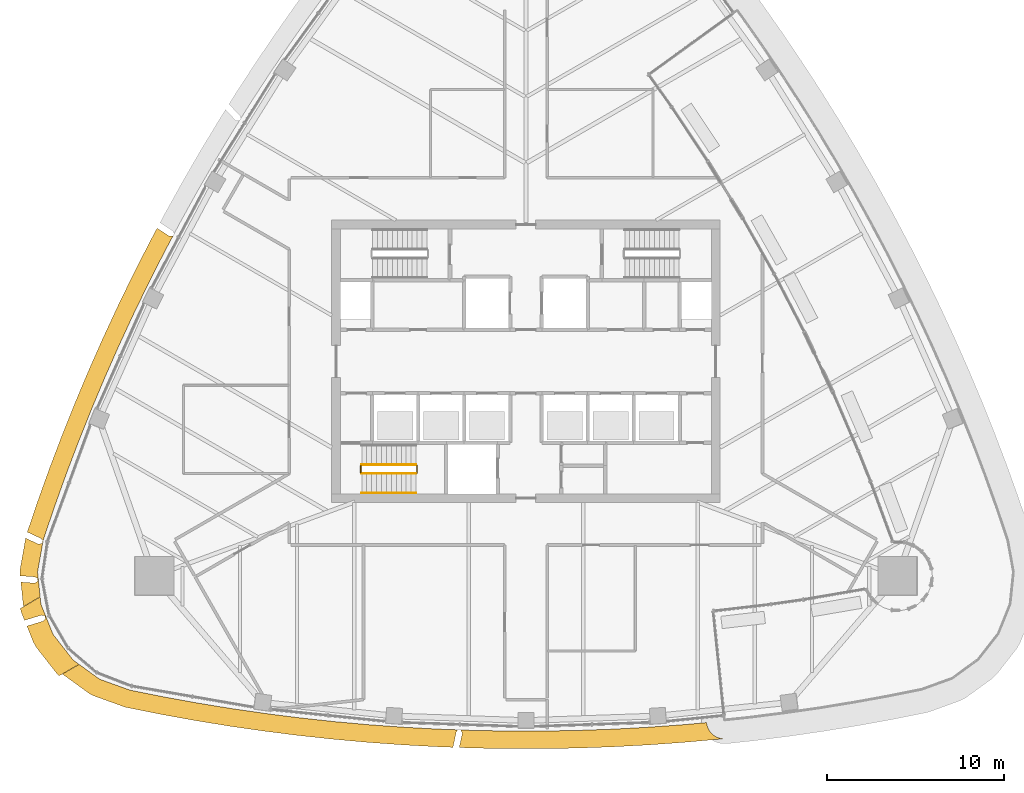
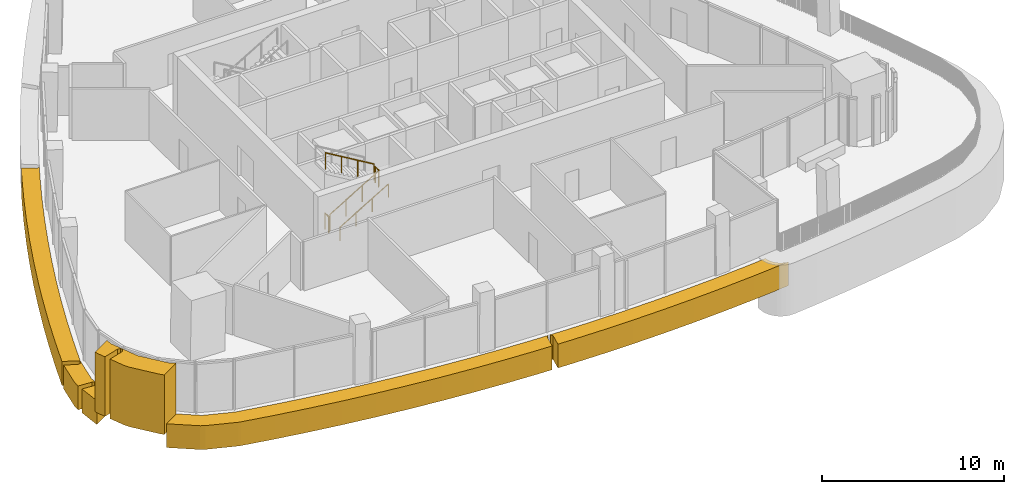
# One storey, part 15 of 20: 5 railings, 4 coverings.
"""IFC4 building model written with IfcOpenShell, lengths in metres."""

import ifcopenshell
import ifcopenshell.guid

model = None  # the IFC model being written
_history = None  # IfcOwnerHistory: only IFC2X3 demands one
_inside = {}  # id of a spatial element -> (the spatial element, [elements in it])
_under = {}  # id of a project, library or spatial element -> (it, [spatial elements below it])
_declared = {}  # id of a project -> (the project, [libraries it declares])
_typed = {}  # id of a type object -> (the type object, [elements of that type])
_made_of = {}  # id of a material, layer set ... -> (it, [elements and type objects made of it])


def new_model(schema):
    """Start an empty IFC model of exactly this schema.

    Asked for "IFC4X3", IfcOpenShell would pick the latest addendum, in which some entities
    have other attributes; the version numbers below select the first issue.
    IFC2X3 requires an IfcOwnerHistory on every rooted entity: one is made here for all.
    """
    global model, _history
    if schema == "IFC4X3":
        model = ifcopenshell.file(schema_version=(4, 3, 0, 0))
    else:
        model = ifcopenshell.file(schema=schema)
    _inside.clear()
    _under.clear()
    _declared.clear()
    _typed.clear()
    _made_of.clear()
    _history = None
    if model.schema == "IFC2X3":
        org = make("IfcOrganization", Name="unknown")
        user = make(
            "IfcPersonAndOrganization",
            ThePerson=make("IfcPerson", FamilyName="unknown"),
            TheOrganization=org,
        )
        app = make(
            "IfcApplication",
            ApplicationDeveloper=org,
            Version="unknown",
            ApplicationFullName="unknown",
            ApplicationIdentifier="unknown",
        )
        _history = make(
            "IfcOwnerHistory",
            OwningUser=user,
            OwningApplication=app,
            ChangeAction="ADDED",
            CreationDate=0,
        )
    return model


def make(cls, **values):
    """One entity of the class cls with the attributes given. An attribute that is None is left unset."""
    return model.create_entity(
        cls, **{name: value for name, value in values.items() if value is not None}
    )


def rooted(cls, **values):
    """An entity with a GlobalId (a new one), such as an element, a storey or a relation."""
    return make(cls, GlobalId=ifcopenshell.guid.new(), OwnerHistory=_history, **values)


def si_unit(unit_type, name, prefix=None):
    """IfcSIUnit, for example si_unit("LENGTHUNIT", "METRE", prefix="MILLI")."""
    return make("IfcSIUnit", UnitType=unit_type, Prefix=prefix, Name=name)


def assignment(units):
    """IfcUnitAssignment: the units of a project."""
    return None if units is None else make("IfcUnitAssignment", Units=units)


def point(xyz):
    """IfcCartesianPoint."""
    return None if xyz is None else make("IfcCartesianPoint", Coordinates=xyz)


def direction(xyz):
    """IfcDirection."""
    return None if xyz is None else make("IfcDirection", DirectionRatios=xyz)


def frame(location, z_axis=None, x_axis=None):
    """IfcAxis2Placement3D, a coordinate frame: its origin and axes. An axis left out is left unset."""
    return make(
        "IfcAxis2Placement3D",
        Location=point(location),
        Axis=direction(z_axis),
        RefDirection=direction(x_axis),
    )


def frame_2d(location, x_axis=None):
    """IfcAxis2Placement2D, a coordinate frame in the plane: its origin and x axis."""
    return make(
        "IfcAxis2Placement2D", Location=point(location), RefDirection=direction(x_axis)
    )


def origin():
    """The frame at (0, 0, 0) with its axes left unset."""
    return frame((0.0, 0.0, 0.0))


def origin_2d():
    """The frame at (0, 0) in the plane with its x axis left unset."""
    return frame_2d((0.0, 0.0))


def place(relative_to, where):
    """IfcLocalPlacement: puts the frame where relative to a parent placement (None: the world)."""
    return make(
        "IfcLocalPlacement", PlacementRelTo=relative_to, RelativePlacement=where
    )


def context(
    kind, dimensions, precision=None, world=None, true_north=None, identifier=None
):
    """IfcGeometricRepresentationContext, for example the 3D "Model" context."""
    return make(
        "IfcGeometricRepresentationContext",
        ContextIdentifier=identifier,
        ContextType=kind,
        CoordinateSpaceDimension=dimensions,
        Precision=precision,
        WorldCoordinateSystem=world,
        TrueNorth=true_north,
    )


def subcontext(parent, identifier, kind, view, scale=None):
    """IfcGeometricRepresentationSubContext, for example "Body" below "Model"."""
    return make(
        "IfcGeometricRepresentationSubContext",
        ContextIdentifier=identifier,
        ContextType=kind,
        ParentContext=parent,
        TargetScale=scale,
        TargetView=view,
    )


def project(units=None, contexts=None):
    """IfcProject with its units and contexts."""
    return rooted(
        "IfcProject",
        Name="project",
        RepresentationContexts=contexts,
        UnitsInContext=assignment(units),
    )


def spatial(cls, under=None, at=None, **own):
    """A site, building, storey or space (cls), placed at a placement, below another one or the project."""
    s = rooted(cls, ObjectPlacement=at, **own)
    if under is not None:
        _under.setdefault(under.id(), (under, []))[1].append(s)
    return s


def polyline(points):
    """IfcPolyline through the points."""
    return make("IfcPolyline", Points=[point(p) for p in points])


def profile(cls, at=None, kind="AREA", **sizes):
    """A parametric profile (cls). Its sizes go by their IFC names, for example OverallWidth=200.0."""
    return make(cls, ProfileType=kind, Position=at, **sizes)


def circle(**sizes):
    """IfcCircleProfileDef."""
    return profile("IfcCircleProfileDef", **sizes)


def outline(outer, holes=None, kind="AREA"):
    """IfcArbitraryClosedProfileDef: a profile drawn as a closed curve; with holes, ...WithVoids."""
    if holes is None:
        return make("IfcArbitraryClosedProfileDef", ProfileType=kind, OuterCurve=outer)
    return make(
        "IfcArbitraryProfileDefWithVoids",
        ProfileType=kind,
        OuterCurve=outer,
        InnerCurves=holes,
    )


def extrude(swept, where, along, depth):
    """IfcExtrudedAreaSolid: the profile swept, set in the frame where, extruded along a direction by depth."""
    return make(
        "IfcExtrudedAreaSolid",
        SweptArea=swept,
        Position=where,
        ExtrudedDirection=direction(along),
        Depth=depth,
    )


def shape(context_of_items, identifier, shape_type, items):
    """IfcShapeRepresentation: the items that make up one representation, for example the "Body"."""
    return make(
        "IfcShapeRepresentation",
        ContextOfItems=context_of_items,
        RepresentationIdentifier=identifier,
        RepresentationType=shape_type,
        Items=items,
    )


def material(Name=None, Category=None):
    """IfcMaterial."""
    return make("IfcMaterial", Name=Name, Category=Category)


def layer(
    of_material, thickness, ventilated=None, Name=None, Category=None, Priority=None
):
    """IfcMaterialLayer: one layer of a wall or slab, of a material (None: an air gap)."""
    return make(
        "IfcMaterialLayer",
        Material=of_material,
        LayerThickness=thickness,
        IsVentilated=ventilated,
        Name=Name,
        Category=Category,
        Priority=Priority,
    )


def layer_set(layers, Name=None):
    """IfcMaterialLayerSet."""
    return make("IfcMaterialLayerSet", MaterialLayers=layers, LayerSetName=Name)


def made_of(thing, what):
    """Note that an element or type object is made of a material, layer set ...; save() writes the relation."""
    if what is not None:
        _made_of.setdefault(what.id(), (what, []))[1].append(thing)
    return thing


def type_object(cls, material=None, **own):
    """A type object (cls), such as IfcWallType, which elements share."""
    return made_of(rooted(cls, **own), material)


def element(
    cls,
    number,
    at=None,
    inside=None,
    cuts=None,
    type_object=None,
    material=None,
    context=None,
    identifier="Body",
    shape_type=None,
    held_by="IfcProductDefinitionShape",
    body=None,
    shapes=None,
    **own,
):
    """One element of the class cls, such as IfcWall. Its Tag is "e" and its number.

    at: its placement. inside: the storey or other place that contains it. cuts: it is an
    opening in that element (IfcRelVoidsElement). A single representation is given by context,
    identifier, shape_type and body (its items); several are given by shapes. held_by: the class
    of the entity that holds the representations. save() writes the other relations.
    """
    e = rooted(cls, Tag="e%d" % number, ObjectPlacement=at, **own)
    if body is not None:
        shapes = [shape(context, identifier, shape_type, body)]
    if shapes is not None:
        e.Representation = make(held_by, Representations=shapes)
    if inside is not None:
        _inside.setdefault(inside.id(), (inside, []))[1].append(e)
    if cuts is not None:
        rooted(
            "IfcRelVoidsElement", RelatingBuildingElement=cuts, RelatedOpeningElement=e
        )
    if type_object is not None:
        _typed.setdefault(type_object.id(), (type_object, []))[1].append(e)
    return made_of(e, material)


def aggregate(whole, parts):
    """IfcRelAggregates: a whole, such as a stair, and the parts it consists of."""
    return rooted("IfcRelAggregates", RelatingObject=whole, RelatedObjects=parts)


def save(model, path):
    """Write the relations noted so far, then the file.

    IfcRelAggregates (storeys below a building ...), IfcRelContainedInSpatialStructure (elements
    in a storey), IfcRelDefinesByType, IfcRelAssociatesMaterial and IfcRelDeclares: one each for
    every whole, place, type object, material and project.
    """
    for whole, parts in _under.values():
        aggregate(whole, parts)
    for where, things in _inside.values():
        rooted(
            "IfcRelContainedInSpatialStructure",
            RelatedElements=things,
            RelatingStructure=where,
        )
    for kind, things in _typed.values():
        rooted("IfcRelDefinesByType", RelatedObjects=things, RelatingType=kind)
    for what, things in _made_of.values():
        rooted("IfcRelAssociatesMaterial", RelatedObjects=things, RelatingMaterial=what)
    for by, libraries in _declared.values():
        rooted("IfcRelDeclares", RelatingContext=by, RelatedDefinitions=libraries)
    model.write(path)


model = new_model("IFC4")

# Units and contexts
model_context = context("Model", 3, precision=1e-05, world=origin(), true_north=direction((0.0, 1.0)))
body_context = subcontext(model_context, "Body", "Model", "MODEL_VIEW")
ifc_project = project(units=[si_unit("LENGTHUNIT", "METRE"), si_unit("AREAUNIT", "SQUARE_METRE"), si_unit("VOLUMEUNIT", "CUBIC_METRE"), si_unit("PLANEANGLEUNIT", "RADIAN"), si_unit("MASSUNIT", "GRAM", prefix="KILO")], contexts=[model_context])

# Site, building, storey
site_placement = place(None, origin())
site = spatial("IfcSite", under=ifc_project, at=site_placement, CompositionType="ELEMENT")
building_placement = place(site_placement, origin())
building = spatial("IfcBuilding", under=site, at=building_placement, Name="Sierra Prisma Convention Tower", CompositionType="ELEMENT")
storey_placement = place(building_placement, frame((0.0, 0.0, 275.0)))
storey = spatial("IfcBuildingStorey", under=building, at=storey_placement, Name="L62", CompositionType="ELEMENT", Elevation=275.0)

# Coverings
ifc_material_1 = material(Name="Aluminium composite bronze anodised", Category="aluminium")
ifc_layer_1 = layer(ifc_material_1, 1.199951171875)
ifc_layer_set_1 = layer_set([ifc_layer_1], Name="Bronze corner pier")
covering_type_1 = type_object("IfcCoveringType", Name="Bronze corner pier", PredefinedType="CLADDING", material=ifc_layer_set_1)
covering_1_placement = place(storey_placement, frame((0.0, 0.0, -0.60009765625)))
element("IfcCovering", 1, at=covering_1_placement, inside=storey, type_object=covering_type_1, Name="Corner pier SW L62.1", PredefinedType="CLADDING", context=body_context, shape_type="SweptSolid", body=[
    extrude(outline(polyline([(-26.43701171875, -17.8037109375), (-26.591064453125, -17.655029296875), (-27.7275390625, -16.2021484375), (-27.895263671875, -15.91162109375), (-28.266357421875, -14.99169921875), (-27.339111328125, -14.708740234375), (-27.334228515625, -14.70703125), (-27.32958984375, -14.704833984375), (-27.325439453125, -14.702392578125), (-27.3212890625, -14.69921875), (-27.317626953125, -14.69580078125), (-27.314453125, -14.692138671875), (-27.220947265625, -14.573974609375), (-27.218017578125, -14.570068359375), (-27.2158203125, -14.56591796875), (-27.213623046875, -14.5615234375), (-27.212158203125, -14.55712890625), (-27.2109375, -14.552490234375), (-27.210205078125, -14.547607421875), (-27.210205078125, -14.54296875), (-27.210205078125, -14.5380859375), (-27.2109375, -14.533447265625), (-27.212158203125, -14.52880859375), (-27.213623046875, -14.524169921875), (-27.251220703125, -14.431396484375), (-27.253173828125, -14.427001953125), (-27.255615234375, -14.4228515625), (-27.25830078125, -14.4189453125), (-27.26171875, -14.415283203125), (-27.26513671875, -14.412109375), (-27.26904296875, -14.4091796875), (-27.273193359375, -14.406494140625), (-27.277587890625, -14.404296875), (-27.281982421875, -14.402587890625), (-27.286865234375, -14.4013671875), (-27.415771484375, -14.373046875), (-27.4208984375, -14.372314453125), (-27.426025390625, -14.371826171875), (-27.43115234375, -14.3720703125), (-27.436279296875, -14.372802734375), (-27.441162109375, -14.3740234375), (-28.397705078125, -14.666015625), (-28.585205078125, -14.200927734375), (-28.636962890625, -13.9931640625), (-27.514404296875, -13.34521484375), (-27.472412109375, -13.752197265625), (-26.782470703125, -15.462890625), (-25.64599609375, -16.915771484375), (-25.314453125, -17.15576171875), (-26.43701171875, -17.8037109375)])), origin(), (0.0, 0.0, 1.0), 4.0),
])
ifc_material_2 = material(Name="Aluminium composite bronze anodised", Category="aluminium")
ifc_layer_2 = layer(ifc_material_2, 1.0)
ifc_layer_set_2 = layer_set([ifc_layer_2], Name="Bronze spandrel band")
covering_type_2 = type_object("IfcCoveringType", Name="Bronze spandrel band", PredefinedType="CLADDING", material=ifc_layer_set_2)
covering_2_placement = place(storey_placement, frame((0.0, 0.0, -1.60009765625)))
element("IfcCovering", 2, at=covering_2_placement, inside=storey, type_object=covering_type_2, Name="Spandrel band L62.1", PredefinedType="CLADDING", context=body_context, shape_type="SweptSolid", body=[
    extrude(outline(polyline([(-27.818603515625, -12.552001953125), (-27.814208984375, -12.55029296875), (-27.809814453125, -12.54833984375), (-27.805908203125, -12.5458984375), (-27.672607421875, -12.458740234375), (-27.66845703125, -12.455810546875), (-27.664794921875, -12.452392578125), (-27.661376953125, -12.44873046875), (-27.658447265625, -12.44482421875), (-27.65576171875, -12.440673828125), (-27.65380859375, -12.43603515625), (-27.652099609375, -12.431396484375), (-27.65087890625, -12.426513671875), (-27.650146484375, -12.421630859375), (-27.64990234375, -12.416748046875), (-27.650146484375, -12.41162109375), (-27.660400390625, -12.312255859375), (-27.6611328125, -12.30712890625), (-27.66259765625, -12.302001953125), (-27.664306640625, -12.29736328125), (-27.66650390625, -12.292724609375), (-27.66943359375, -12.288330078125), (-27.672607421875, -12.2841796875), (-27.67626953125, -12.280517578125), (-27.68017578125, -12.27734375), (-27.6845703125, -12.2744140625), (-27.789794921875, -12.2119140625), (-27.7939453125, -12.209716796875), (-27.798095703125, -12.207763671875), (-27.802490234375, -12.206298828125), (-27.80712890625, -12.205322265625), (-27.811767578125, -12.204833984375), (-28.643798828125, -12.145263671875), (-28.65673828125, -12.02001953125), (-28.646484375, -11.74072265625), (-28.335693359375, -10.008544921875), (-27.618896484375, -10.345458984375), (-27.614501953125, -10.347412109375), (-27.609619140625, -10.3486328125), (-27.604736328125, -10.349609375), (-27.599853515625, -10.35009765625), (-27.594970703125, -10.35009765625), (-27.58984375, -10.349609375), (-27.585205078125, -10.348388671875), (-27.422607421875, -10.305908203125), (-27.418212890625, -10.304443359375), (-27.413818359375, -10.302490234375), (-27.40966796875, -10.30029296875), (-27.405517578125, -10.297607421875), (-27.402099609375, -10.294677734375), (-27.398681640625, -10.291259765625), (-27.3955078125, -10.28759765625), (-27.392822265625, -10.28369140625), (-27.390380859375, -10.27978515625), (-27.388671875, -10.275390625), (-27.38720703125, -10.27099609375), (-27.385986328125, -10.266357421875), (-27.368408203125, -10.167724609375), (-27.367919921875, -10.162841796875), (-27.36767578125, -10.157958984375), (-27.367919921875, -10.153076171875), (-27.368896484375, -10.148193359375), (-27.3701171875, -10.143310546875), (-27.371826171875, -10.138671875), (-27.374267578125, -10.13427734375), (-27.376708984375, -10.130126953125), (-27.3798828125, -10.126220703125), (-27.45361328125, -10.041015625), (-27.457275390625, -10.037353515625), (-27.461181640625, -10.033935546875), (-27.465576171875, -10.031005859375), (-27.47021484375, -10.028564453125), (-28.244384765625, -9.664794921875), (-27.65380859375, -7.92138671875), (-27.64794921875, -7.904541015625), (-26.985107421875, -6.056640625), (-26.978759765625, -6.039794921875), (-26.28271484375, -4.204345703125), (-26.2763671875, -4.187744140625), (-25.547607421875, -2.364990234375), (-25.540771484375, -2.348388671875), (-24.779541015625, -0.538818359375), (-24.7724609375, -0.5224609375), (-23.97900390625, 1.273193359375), (-23.971435546875, 1.28955078125), (-23.14599609375, 3.070556640625), (-23.13818359375, 3.086669921875), (-22.281005859375, 4.8525390625), (-22.27294921875, 4.86865234375), (-21.384033203125, 6.618896484375), (-21.3759765625, 6.635009765625), (-20.89208984375, 7.546630859375), (-20.202392578125, 7.099609375), (-20.197998046875, 7.09716796875), (-20.193603515625, 7.09521484375), (-20.188720703125, 7.093505859375), (-20.183837890625, 7.09228515625), (-20.1787109375, 7.091796875), (-20.173828125, 7.091796875), (-20.023193359375, 7.09619140625), (-20.0185546875, 7.0966796875), (-20.013916015625, 7.097412109375), (-20.009033203125, 7.0986328125), (-20.004638671875, 7.100341796875), (-20.00048828125, 7.1025390625), (-19.996337890625, 7.10498046875), (-19.9931640625, 7.107421875), (-20.492431640625, 6.166259765625), (-21.38134765625, 4.416015625), (-22.23876953125, 2.64990234375), (-23.064208984375, 0.868896484375), (-23.85791015625, -0.926513671875), (-24.618896484375, -2.736083984375), (-25.347900390625, -4.558837890625), (-26.043701171875, -6.39453125), (-26.706787109375, -8.2421875), (-27.33642578125, -10.1015625), (-27.662109375, -11.917236328125), (-27.515625, -13.334228515625), (-28.4609375, -13.8798828125), (-28.46728515625, -13.85498046875), (-28.607421875, -12.498779296875), (-27.8369140625, -12.553955078125), (-27.832275390625, -12.55419921875), (-27.82763671875, -12.5537109375), (-27.822998046875, -12.552978515625), (-27.818603515625, -12.552001953125)])), origin(), (0.0, 0.0, 1.0), 1.60009765625),
])
covering_3_placement = place(storey_placement, frame((0.0, 0.0, -1.60009765625)))
element("IfcCovering", 3, at=covering_3_placement, inside=storey, type_object=covering_type_2, Name="Spandrel band L62.2", PredefinedType="CLADDING", context=body_context, shape_type="SweptSolid", body=[
    extrude(outline(polyline([(-22.41650390625, -18.623291015625), (-20.4912109375, -19.007568359375), (-18.5595703125, -19.357421875), (-16.6220703125, -19.67236328125), (-14.678955078125, -19.95263671875), (-12.7314453125, -20.197998046875), (-10.779541015625, -20.40869140625), (-8.824462890625, -20.584228515625), (-6.866455078125, -20.724609375), (-4.906005859375, -20.830078125), (-3.84130859375, -20.868408203125), (-3.842041015625, -20.868408203125), (-3.8466796875, -20.87060546875), (-3.851318359375, -20.873291015625), (-3.85546875, -20.87646484375), (-3.859130859375, -20.8798828125), (-3.862548828125, -20.8837890625), (-3.939208984375, -20.9794921875), (-3.94189453125, -20.983154296875), (-3.9443359375, -20.987060546875), (-3.9462890625, -20.9912109375), (-3.947998046875, -20.99560546875), (-3.94921875, -21.000244140625), (-4.13232421875, -21.8583984375), (-4.94189453125, -21.82958984375), (-4.959716796875, -21.82861328125), (-6.920166015625, -21.723388671875), (-6.93798828125, -21.72216796875), (-8.89599609375, -21.58154296875), (-8.913818359375, -21.580078125), (-10.868896484375, -21.40478515625), (-10.886962890625, -21.40283203125), (-12.838623046875, -21.1923828125), (-12.8564453125, -21.190185546875), (-14.80419921875, -20.94482421875), (-14.82177734375, -20.9423828125), (-16.764892578125, -20.662109375), (-16.782470703125, -20.659423828125), (-18.72021484375, -20.34423828125), (-18.73779296875, -20.34130859375), (-20.66943359375, -19.99169921875), (-20.68701171875, -19.98828125), (-22.612060546875, -19.60400390625), (-22.755615234375, -19.56396484375), (-24.490966796875, -18.93798828125), (-24.738037109375, -18.8076171875), (-26.232421875, -17.725830078125), (-26.2509765625, -17.7080078125), (-25.3056640625, -17.162109375), (-24.151611328125, -17.99755859375), (-22.41650390625, -18.623291015625)])), origin(), (0.0, 0.0, 1.0), 1.60009765625),
])
covering_4_placement = place(storey_placement, frame((0.0, 0.0, -1.60009765625)))
element("IfcCovering", 4, at=covering_4_placement, inside=storey, type_object=covering_type_2, Name="Spandrel band L62.6", PredefinedType="CLADDING", context=body_context, shape_type="SweptSolid", body=[
    extrude(outline(polyline([(10.886962890625, -21.40283203125), (10.868896484375, -21.40478515625), (8.913818359375, -21.580078125), (8.89599609375, -21.58154296875), (6.93798828125, -21.72216796875), (6.920166015625, -21.723388671875), (4.959716796875, -21.82861328125), (4.94189453125, -21.82958984375), (2.97998046875, -21.89990234375), (2.962158203125, -21.900390625), (0.99951171875, -21.935302734375), (0.9814453125, -21.935546875), (-0.9814453125, -21.935546875), (-0.99951171875, -21.935302734375), (-2.962158203125, -21.900390625), (-2.97998046875, -21.89990234375), (-3.777099609375, -21.87109375), (-3.606689453125, -21.0732421875), (-3.60595703125, -21.068603515625), (-3.605712890625, -21.06396484375), (-3.605712890625, -21.059326171875), (-3.606201171875, -21.0546875), (-3.607421875, -21.05029296875), (-3.608642578125, -21.0458984375), (-3.610595703125, -21.04150390625), (-3.678466796875, -20.897216796875), (-3.680908203125, -20.892822265625), (-3.68359375, -20.888671875), (-3.686767578125, -20.885009765625), (-3.690185546875, -20.88134765625), (-3.694091796875, -20.87841796875), (-3.6982421875, -20.87548828125), (-3.702392578125, -20.873291015625), (-2.9443359375, -20.900390625), (-0.9814453125, -20.935546875), (0.9814453125, -20.935546875), (2.9443359375, -20.900390625), (4.906005859375, -20.830078125), (6.866455078125, -20.724609375), (8.824462890625, -20.584228515625), (10.23193359375, -20.457763671875), (10.232666015625, -20.46337890625), (10.247802734375, -20.5625), (10.272705078125, -20.65966796875), (10.30712890625, -20.75390625), (10.3505859375, -20.844482421875), (10.402587890625, -20.930419921875), (10.462890625, -21.010498046875), (10.531005859375, -21.08447265625), (10.605712890625, -21.1513671875), (10.686767578125, -21.21044921875), (10.773193359375, -21.261474609375), (10.8642578125, -21.3037109375), (10.958984375, -21.336669921875), (11.056640625, -21.3603515625), (11.15478515625, -21.3740234375), (10.886962890625, -21.40283203125)])), origin(), (0.0, 0.0, 1.0), 1.60009765625),
])

# Railings
ifc_material_3 = material(Name="Stainless steel", Category="steel")
railing_type_1 = type_object("IfcRailingType", Name="Exit stair handrail", PredefinedType="HANDRAIL", material=ifc_material_3)
railing_1_placement = place(storey_placement, frame((-9.300048828125, -7.449951171875, 0.166748046875)))
element("IfcRailing", 5, at=railing_1_placement, inside=storey, type_object=railing_type_1, Name="L62 S1 stair handrail 1", PredefinedType="HANDRAIL", context=body_context, shape_type="SweptSolid", body=[
    extrude(circle(Radius=0.02392578125, at=origin_2d()), frame((0.0, 0.0, 0.8759765625), z_axis=(0.859308565015, 0.0, 0.511457515432), x_axis=(0.0, 1.0, 0.0)), (0.0, 0.0, 1.0), 3.58447265625),
    extrude(circle(Radius=0.02099609375, at=origin_2d()), origin(), (0.0, 0.0, 1.0), 0.851806640625),
    extrude(circle(Radius=0.02099609375, at=origin_2d()), frame((1.026611328125, 0.0, 0.611083984375)), (0.0, 0.0, 1.0), 0.851806640625),
    extrude(circle(Radius=0.02099609375, at=origin_2d()), frame((2.053466796875, 0.0, 1.22216796875)), (0.0, 0.0, 1.0), 0.851806640625),
    extrude(circle(Radius=0.02099609375, at=origin_2d()), frame((3.080078125, 0.0, 1.833251953125)), (0.0, 0.0, 1.0), 0.851806640625),
])
ifc_material_4 = material(Name="Stainless steel", Category="steel")
railing_type_2 = type_object("IfcRailingType", Name="Stair guard 1100", PredefinedType="GUARDRAIL", material=ifc_material_4)
railing_2_placement = place(storey_placement, frame((-9.300048828125, -6.35009765625, 0.166748046875)))
element("IfcRailing", 6, at=railing_2_placement, inside=storey, type_object=railing_type_2, Name="L62 S1 stair guard 1", PredefinedType="GUARDRAIL", context=body_context, shape_type="SweptSolid", body=[
    extrude(circle(Radius=0.02392578125, at=origin_2d()), frame((0.0, 0.0, 1.076171875), z_axis=(0.859308565015, 0.0, 0.511457515432), x_axis=(0.0, 1.0, 0.0)), (0.0, 0.0, 1.0), 3.58447265625),
    extrude(circle(Radius=0.02099609375, at=origin_2d()), origin(), (0.0, 0.0, 1.0), 1.052001953125),
    extrude(circle(Radius=0.02099609375, at=origin_2d()), frame((1.026611328125, 0.0, 0.611083984375)), (0.0, 0.0, 1.0), 1.052001953125),
    extrude(circle(Radius=0.02099609375, at=origin_2d()), frame((2.053466796875, 0.0, 1.22216796875)), (0.0, 0.0, 1.0), 1.052001953125),
    extrude(circle(Radius=0.02099609375, at=origin_2d()), frame((3.080078125, 0.0, 1.833251953125)), (0.0, 0.0, 1.0), 1.052001953125),
])
railing_3_placement = place(storey_placement, frame((-6.169921875, -6.300048828125, 2.0)))
element("IfcRailing", 7, at=railing_3_placement, inside=storey, type_object=railing_type_2, Name="L62 S1 stair guard 2", PredefinedType="GUARDRAIL", context=body_context, shape_type="SweptSolid", body=[
    extrude(circle(Radius=0.02392578125, at=origin_2d()), frame((0.0, 0.0, 1.076171875), z_axis=(0.0, 1.0, 0.0), x_axis=(-1.0, 0.0, 0.0)), (0.0, 0.0, 1.0), 0.400146484375),
    extrude(circle(Radius=0.02099609375, at=origin_2d()), origin(), (0.0, 0.0, 1.0), 1.052001953125),
    extrude(circle(Radius=0.02099609375, at=origin_2d()), frame((0.0, 0.400146484375, 0.0)), (0.0, 0.0, 1.0), 1.052001953125),
])
railing_4_placement = place(storey_placement, frame((-6.219970703125, -5.85009765625, 2.166748046875)))
element("IfcRailing", 8, at=railing_4_placement, inside=storey, type_object=railing_type_2, Name="L62 S1 stair guard 3", PredefinedType="GUARDRAIL", context=body_context, shape_type="SweptSolid", body=[
    extrude(circle(Radius=0.02392578125, at=origin_2d()), frame((0.0, 0.0, 1.076171875), z_axis=(-0.859308565015, 0.0, 0.511457515432), x_axis=(0.0, -1.0, 0.0)), (0.0, 0.0, 1.0), 3.58447265625),
    extrude(circle(Radius=0.02099609375, at=origin_2d()), origin(), (0.0, 0.0, 1.0), 1.052001953125),
    extrude(circle(Radius=0.02099609375, at=origin_2d()), frame((-1.026611328125, 0.0, 0.611083984375)), (0.0, 0.0, 1.0), 1.052001953125),
    extrude(circle(Radius=0.02099609375, at=origin_2d()), frame((-2.053466796875, 0.0, 1.22216796875)), (0.0, 0.0, 1.0), 1.052001953125),
    extrude(circle(Radius=0.02099609375, at=origin_2d()), frame((-3.080078125, 0.0, 1.833251953125)), (0.0, 0.0, 1.0), 1.052001953125),
])
railing_5_placement = place(storey_placement, frame((-9.35009765625, -6.300048828125, 0.0)))
element("IfcRailing", 9, at=railing_5_placement, inside=storey, type_object=railing_type_2, Name="L62 S1 stair guard 4", PredefinedType="GUARDRAIL", context=body_context, shape_type="SweptSolid", body=[
    extrude(circle(Radius=0.02392578125, at=origin_2d()), frame((0.0, 0.0, 1.076171875), z_axis=(0.0, 1.0, 0.0), x_axis=(-1.0, 0.0, 0.0)), (0.0, 0.0, 1.0), 0.400146484375),
    extrude(circle(Radius=0.02099609375, at=origin_2d()), origin(), (0.0, 0.0, 1.0), 1.052001953125),
    extrude(circle(Radius=0.02099609375, at=origin_2d()), frame((0.0, 0.400146484375, 0.0)), (0.0, 0.0, 1.0), 1.052001953125),
])

save(model, "model.ifc")
